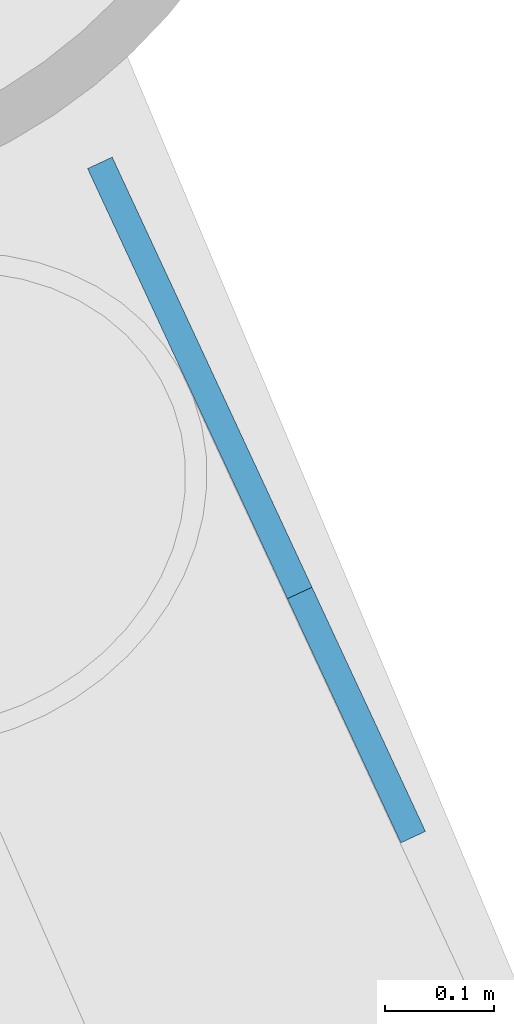
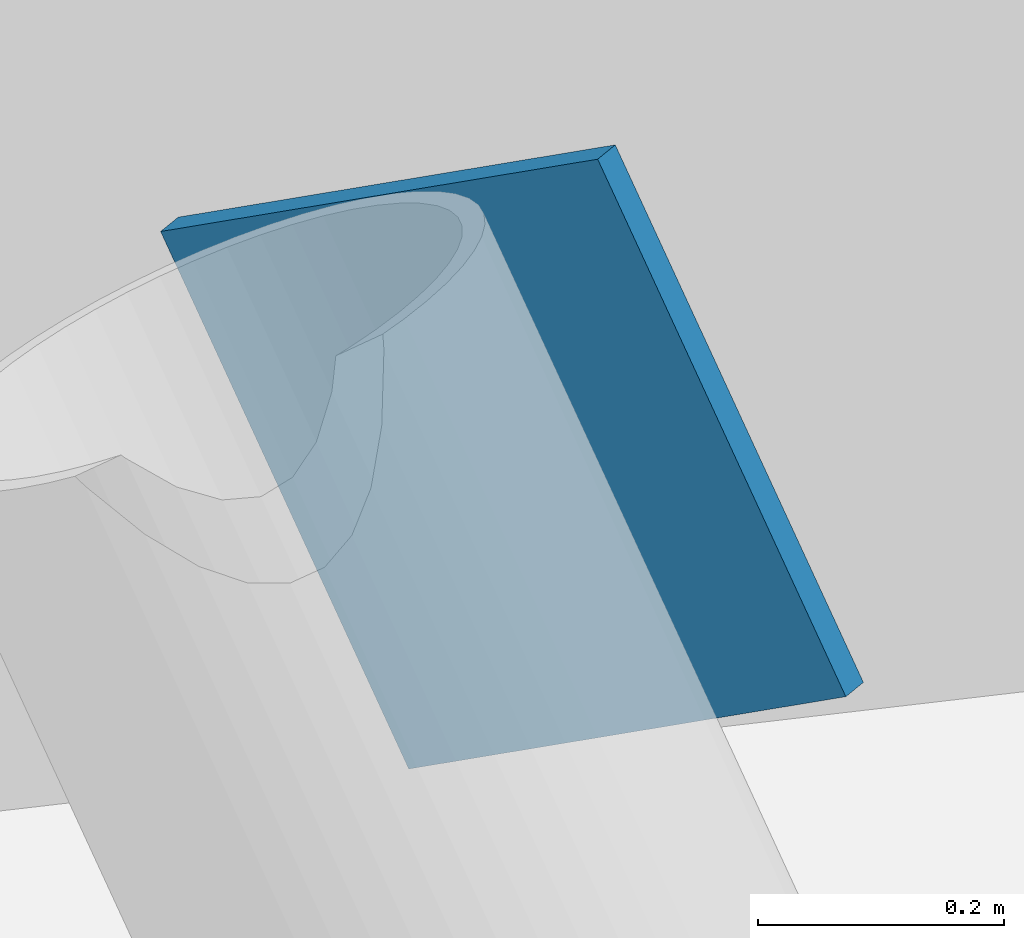
# One storey, part 11 of 21: 1 discrete accessory.
"""IFC4 building model written with IfcOpenShell, lengths in metres."""

from ifc_helpers import new_model, si_unit, direction, frame, origin, origin_2d, place, context, subcontext, project, spatial, rectangle, extrude, material, material_profile, profile_set, type_object, element, save


model = new_model("IFC4")

# Units and contexts
model_context = context("Model", 3, precision=1e-05, world=origin(), true_north=direction((0.0, 1.0)))
body_context = subcontext(model_context, "Body", "Model", "MODEL_VIEW")
ifc_project = project(units=[si_unit("LENGTHUNIT", "METRE"), si_unit("AREAUNIT", "SQUARE_METRE"), si_unit("VOLUMEUNIT", "CUBIC_METRE"), si_unit("PLANEANGLEUNIT", "RADIAN"), si_unit("MASSUNIT", "GRAM", prefix="KILO")], contexts=[model_context])

# Site, building, storey
site_placement = place(None, origin())
site = spatial("IfcSite", under=ifc_project, at=site_placement, CompositionType="ELEMENT")
building_placement = place(site_placement, origin())
building = spatial("IfcBuilding", under=site, at=building_placement, Name="Tarsis Ring Headquarters", CompositionType="ELEMENT")
storey_placement = place(building_placement, frame((0.0, 0.0, 208.199951171875)))
storey = spatial("IfcBuildingStorey", under=building, at=storey_placement, Name="L48", CompositionType="ELEMENT", Elevation=208.199951171875)

# Discrete accessory
ifc_material = material(Name="Structural steel S355", Category="steel")
ifc_material_profile = material_profile(ifc_material, rectangle(XDim=0.02490234375, YDim=0.5, at=origin_2d()), Name="PL 25x500")
ifc_profile_set = profile_set([ifc_material_profile], Name="Structural steel S355")
discrete_accessory_type = type_object("IfcDiscreteAccessoryType", Name="Gusset plate Exo brace 25", PredefinedType="BRACKET", material=ifc_profile_set)
discrete_accessory_placement = place(storey_placement, frame((-27.940185546875, -6.929931640625, 7.800048828125), z_axis=(0.20800726698, -0.447752731973, -0.869626625566), x_axis=(0.906914507218, 0.421314700191, 0.0)))
element("IfcDiscreteAccessory", 1, at=discrete_accessory_placement, inside=storey, type_object=discrete_accessory_type, Name="Gusset plate GP5", PredefinedType="BRACKET", context=body_context, shape_type="SweptSolid", body=[
    extrude(rectangle(XDim=0.02490234375, YDim=0.5, at=origin_2d()), origin(), (0.0, 0.0, 1.0), 0.5),
])

save(model, "model.ifc")
